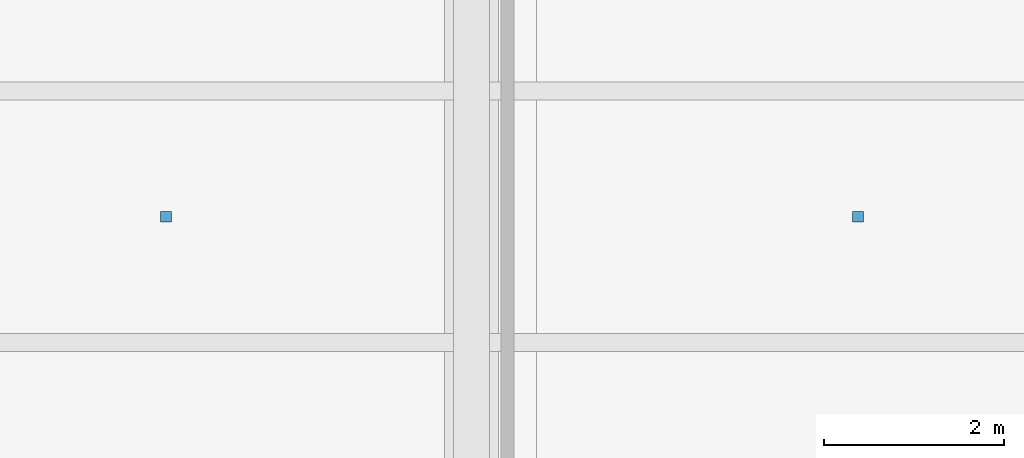
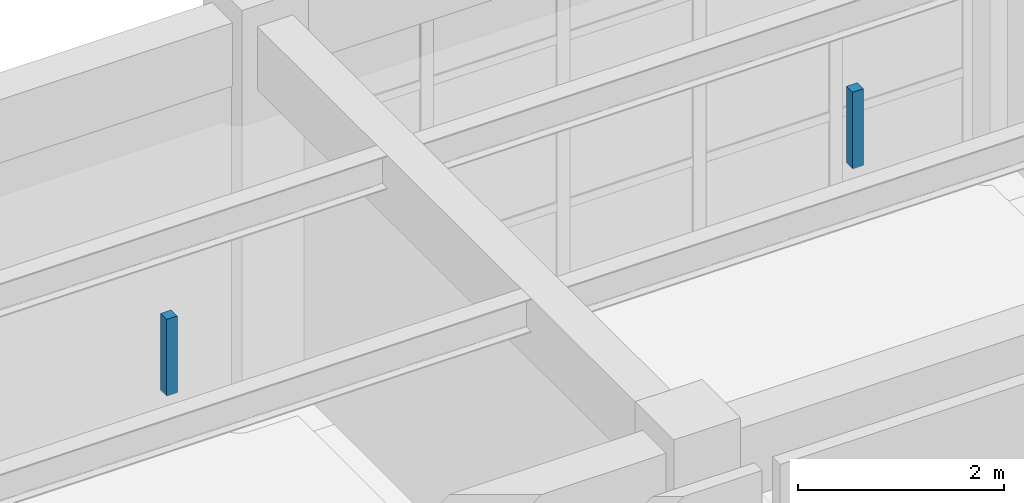
# One storey, part 22 of 29: 2 discrete accessories.
"""IFC4 building model written with IfcOpenShell, lengths in metres."""

from ifc_helpers import new_model, si_unit, direction, frame, origin, origin_2d, place, context, subcontext, project, spatial, rectangle, extrude, material, layer, layer_set, type_object, element, save


model = new_model("IFC4")

# Units and contexts
model_context = context("Model", 3, precision=1e-05, world=origin(), true_north=direction((0.0, 1.0)))
body_context = subcontext(model_context, "Body", "Model", "MODEL_VIEW")
ifc_project = project(units=[si_unit("LENGTHUNIT", "METRE"), si_unit("AREAUNIT", "SQUARE_METRE"), si_unit("VOLUMEUNIT", "CUBIC_METRE"), si_unit("PLANEANGLEUNIT", "RADIAN"), si_unit("MASSUNIT", "GRAM", prefix="KILO")], contexts=[model_context])

# Site, building, storey
site_placement = place(None, origin())
site = spatial("IfcSite", under=ifc_project, at=site_placement, CompositionType="ELEMENT")
building_placement = place(site_placement, origin())
building = spatial("IfcBuilding", under=site, at=building_placement, Name="Canglan Escarpment Cableway Terminal", CompositionType="ELEMENT")
storey_placement = place(building_placement, origin())
storey = spatial("IfcBuildingStorey", under=building, at=storey_placement, Name="L00", CompositionType="ELEMENT", Elevation=0.0)

# Discrete accessories
ifc_material = material(Name="Steel Q355B", Category="steel")
ifc_layer = layer(ifc_material, 0.159912109375, Name="Steel Q355B")
ifc_layer_set = layer_set([ifc_layer], Name="Steel Q355B")
discrete_accessory_type = type_object("IfcDiscreteAccessoryType", Name="ACC-BRACKET-01", PredefinedType="BRACKET", material=ifc_layer_set)
for number, where, z_axis, x_axis, name in (
    (1, (64.300048828125, 20.60009765625, 3.66015625), (0.0, 0.0, 1.0), (1.0, 0.0, 0.0), "Suspended ceiling hanger bracket BK-01"),
    (2, (72.0, 20.60009765625, 3.66015625), (0.0, 0.0, 1.0), (1.0, 0.0, 0.0), "Suspended ceiling hanger bracket BK-01"),
):
    element("IfcDiscreteAccessory", number, at=place(storey_placement, frame(where, z_axis=z_axis, x_axis=x_axis)), inside=storey, type_object=discrete_accessory_type, Name=name, PredefinedType="BRACKET", context=body_context, shape_type="SweptSolid", body=[
        extrude(rectangle(XDim=0.1201171875, YDim=0.1201171875, at=origin_2d()), origin(), (0.0, 0.0, 1.0), 0.909912109375),
    ])

save(model, "model.ifc")
